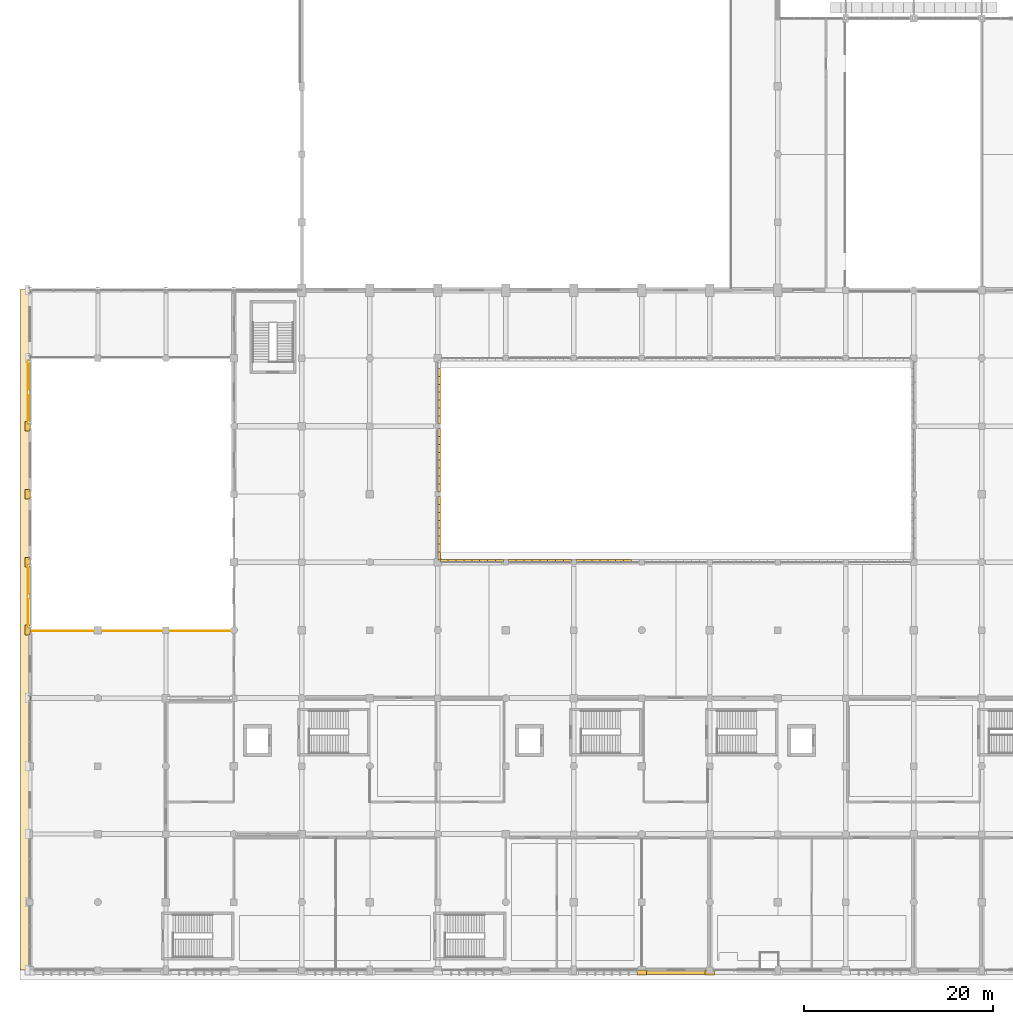
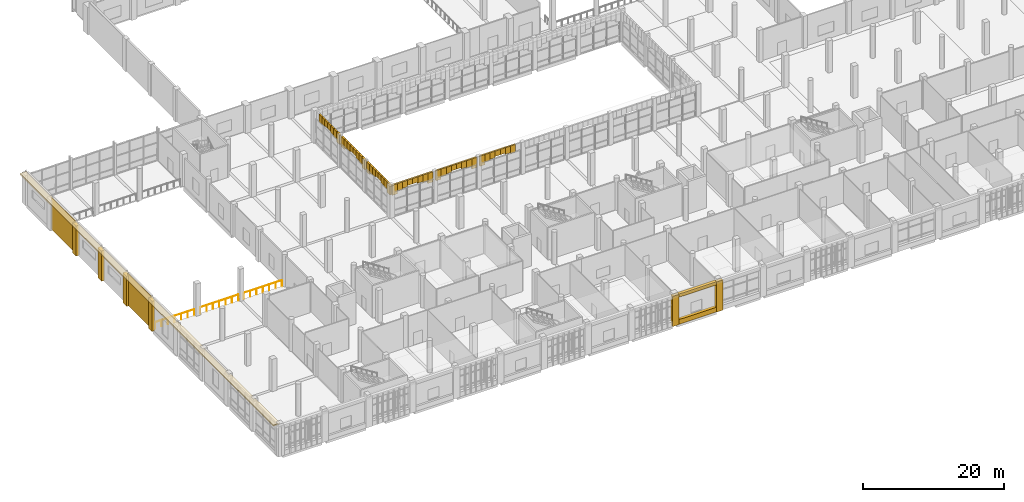
# One storey, part 66 of 80: 57 coverings, 3 railings.
"""IFC4 building model written with IfcOpenShell, lengths in metres."""

from ifc_helpers import new_model, si_unit, direction, frame, frame_2d, origin, origin_2d, place, context, subcontext, project, spatial, polyline, rectangle, circle, outline, extrude, material, layer, layer_set, type_object, element, save


model = new_model("IFC4")

# Units and contexts
model_context = context("Model", 3, precision=1e-05, world=origin(), true_north=direction((0.0, 1.0)))
body_context = subcontext(model_context, "Body", "Model", "MODEL_VIEW")
ifc_project = project(units=[si_unit("LENGTHUNIT", "METRE"), si_unit("AREAUNIT", "SQUARE_METRE"), si_unit("VOLUMEUNIT", "CUBIC_METRE"), si_unit("PLANEANGLEUNIT", "RADIAN"), si_unit("MASSUNIT", "GRAM", prefix="KILO")], contexts=[model_context])

# Site, building, storey
site_placement = place(None, origin())
site = spatial("IfcSite", under=ifc_project, at=site_placement, CompositionType="ELEMENT")
building_placement = place(site_placement, origin())
building = spatial("IfcBuilding", under=site, at=building_placement, Name="Sardonyx Promenade Sports Hall", CompositionType="ELEMENT")
storey_placement = place(building_placement, frame((0.0, 0.0, 5.60009765625)))
storey = spatial("IfcBuildingStorey", under=building, at=storey_placement, Name="L01", CompositionType="ELEMENT", Elevation=5.60009765625)

# Coverings
ifc_material_1 = material(Name="Dressed Cape red sandstone cornice", Category="masonry")
ifc_layer_1 = layer(ifc_material_1, 0.139892578125)
ifc_layer_set_1 = layer_set([ifc_layer_1], Name="Cov_Chhajja_Eave")
covering_type_1 = type_object("IfcCoveringType", Name="Cov_Chhajja_Eave", PredefinedType="MOLDING", material=ifc_layer_set_1)
covering_1_placement = place(storey_placement, frame((0.0, 0.0, 5.25)))
element("IfcCovering", 1, at=covering_1_placement, inside=storey, type_object=covering_type_1, Name="West climbing L01 chhajja cornice", PredefinedType="MOLDING", context=body_context, shape_type="SweptSolid", body=[
    extrude(outline(polyline([(-1.050048828125, 0.0), (0.050048828125, 0.0), (0.050048828125, 72.10009765625), (-1.050048828125, 72.10009765625), (-1.050048828125, 0.0)])), origin(), (0.0, 0.0, 1.0), 0.219970703125),
])
ifc_material_2 = material(Name="Dressed Cape red sandstone ashlar", Category="masonry")
ifc_layer_2 = layer(ifc_material_2, 0.06005859375)
ifc_layer_set_2 = layer_set([ifc_layer_2], Name="Cov_Cladding_Sandstone")
covering_type_2 = type_object("IfcCoveringType", Name="Cov_Cladding_Sandstone", PredefinedType="CLADDING", material=ifc_layer_set_2)
covering_2_placement = place(storey_placement, frame((-0.18505859375, 36.280029296875, 0.0498046875), z_axis=(0.0, 0.0, 1.0), x_axis=(0.0, 1.0, 0.0)))
element("IfcCovering", 2, at=covering_2_placement, inside=storey, type_object=covering_type_2, Name="Dressed sandstone ashlar cladding L01 #143", PredefinedType="CLADDING", context=body_context, shape_type="SweptSolid", body=[
    extrude(rectangle(XDim=6.639892578125, YDim=0.050048828125, at=frame_2d((3.31982421875, 0.0))), origin(), (0.0, 0.0, 1.0), 5.5),
])
covering_3_placement = place(storey_placement, frame((-0.18505859375, 57.8798828125, 0.0498046875), z_axis=(0.0, 0.0, 1.0), x_axis=(0.0, 1.0, 0.0)))
element("IfcCovering", 3, at=covering_3_placement, inside=storey, type_object=covering_type_2, Name="Dressed sandstone ashlar cladding L01 #146", PredefinedType="CLADDING", context=body_context, shape_type="SweptSolid", body=[
    extrude(rectangle(XDim=6.64013671875, YDim=0.050048828125, at=frame_2d((3.320068359375, 0.0))), origin(), (0.0, 0.0, 1.0), 5.5),
])
covering_4_placement = place(storey_placement, origin())
element("IfcCovering", 4, at=covering_4_placement, inside=storey, type_object=covering_type_2, Name="South sandstone bay pier casing L01 #9", PredefinedType="CLADDING", context=body_context, shape_type="SweptSolid", body=[
    extrude(outline(polyline([(64.280029296875, -0.52001953125), (65.320068359375, -0.52001953125), (65.320068359375, 0.02001953125), (64.280029296875, 0.02001953125), (64.280029296875, -0.52001953125)])), origin(), (0.0, 0.0, 1.0), 5.25),
])
covering_5_placement = place(storey_placement, origin())
element("IfcCovering", 5, at=covering_5_placement, inside=storey, type_object=covering_type_2, Name="South sandstone bay pier casing L01 #10", PredefinedType="CLADDING", context=body_context, shape_type="SweptSolid", body=[
    extrude(outline(polyline([(71.47998046875, -0.52001953125), (72.52001953125, -0.52001953125), (72.52001953125, 0.02001953125), (71.47998046875, 0.02001953125), (71.47998046875, -0.52001953125)])), origin(), (0.0, 0.0, 1.0), 5.25),
])
covering_6_placement = place(storey_placement, origin())
element("IfcCovering", 6, at=covering_6_placement, inside=storey, type_object=covering_type_2, Name="South sandstone sill spandrel L01 #13", PredefinedType="CLADDING", context=body_context, shape_type="SweptSolid", body=[
    extrude(outline(polyline([(65.320068359375, -0.4599609375), (71.47998046875, -0.4599609375), (71.47998046875, 0.02001953125), (65.320068359375, 0.02001953125), (65.320068359375, -0.4599609375)])), origin(), (0.0, 0.0, 1.0), 0.81982421875),
])
covering_7_placement = place(storey_placement, frame((0.0, 0.0, 4.699951171875)))
element("IfcCovering", 7, at=covering_7_placement, inside=storey, type_object=covering_type_2, Name="South sandstone lintel frieze L01 #13", PredefinedType="CLADDING", context=body_context, shape_type="SweptSolid", body=[
    extrude(outline(polyline([(65.320068359375, -0.4599609375), (71.47998046875, -0.4599609375), (71.47998046875, 0.02001953125), (65.320068359375, 0.02001953125), (65.320068359375, -0.4599609375)])), origin(), (0.0, 0.0, 1.0), 0.550048828125),
])
covering_8_placement = place(storey_placement, origin())
element("IfcCovering", 8, at=covering_8_placement, inside=storey, type_object=covering_type_2, Name="West sandstone pier casing L01 #5", PredefinedType="CLADDING", context=body_context, shape_type="SweptSolid", body=[
    extrude(outline(polyline([(-0.5, 35.47998046875), (0.02001953125, 35.47998046875), (0.02001953125, 36.52001953125), (-0.5, 36.52001953125), (-0.5, 35.47998046875)])), origin(), (0.0, 0.0, 1.0), 5.25),
])
covering_9_placement = place(storey_placement, origin())
element("IfcCovering", 9, at=covering_9_placement, inside=storey, type_object=covering_type_2, Name="West sandstone pier casing L01 #6", PredefinedType="CLADDING", context=body_context, shape_type="SweptSolid", body=[
    extrude(outline(polyline([(-0.5, 42.679931640625), (0.02001953125, 42.679931640625), (0.02001953125, 43.719970703125), (-0.5, 43.719970703125), (-0.5, 42.679931640625)])), origin(), (0.0, 0.0, 1.0), 5.25),
])
covering_10_placement = place(storey_placement, origin())
element("IfcCovering", 10, at=covering_10_placement, inside=storey, type_object=covering_type_2, Name="West sandstone pier casing L01 #7", PredefinedType="CLADDING", context=body_context, shape_type="SweptSolid", body=[
    extrude(outline(polyline([(-0.5, 49.8798828125), (0.02001953125, 49.8798828125), (0.02001953125, 50.919921875), (-0.5, 50.919921875), (-0.5, 49.8798828125)])), origin(), (0.0, 0.0, 1.0), 5.25),
])
covering_11_placement = place(storey_placement, origin())
element("IfcCovering", 11, at=covering_11_placement, inside=storey, type_object=covering_type_2, Name="West sandstone pier casing L01 #8", PredefinedType="CLADDING", context=body_context, shape_type="SweptSolid", body=[
    extrude(outline(polyline([(-0.5, 57.080078125), (0.02001953125, 57.080078125), (0.02001953125, 58.1201171875), (-0.5, 58.1201171875), (-0.5, 57.080078125)])), origin(), (0.0, 0.0, 1.0), 5.25),
])
ifc_material_3 = material(Name="Carved Cape red sandstone ashlar", Category="masonry")
ifc_layer_3 = layer(ifc_material_3, 0.239990234375)
ifc_layer_set_3 = layer_set([ifc_layer_3], Name="Cov_Mughal_Arch")
covering_type_3 = type_object("IfcCoveringType", Name="Cov_Mughal_Arch", PredefinedType="CLADDING", material=ifc_layer_set_3)
covering_12_placement = place(storey_placement, frame((43.449951171875, 43.35009765625, 3.584716796875), z_axis=(0.0, 0.0, 1.0), x_axis=(1.0, 0.0, 0.0)))
element("IfcCovering", 12, at=covering_12_placement, inside=storey, type_object=covering_type_3, Name="Mughal pointed-arch spandrel L01 cov:rq:S:L01:0 #1", PredefinedType="CLADDING", context=body_context, shape_type="SweptSolid", body=[
    extrude(rectangle(XDim=0.837646484375, YDim=0.280029296875, at=frame_2d((0.4189453125, 0.0))), origin(), (0.0, 0.0, 1.0), 1.76513671875),
])
covering_13_placement = place(storey_placement, frame((44.28759765625, 43.35009765625, 4.041748046875), z_axis=(0.0, 0.0, 1.0), x_axis=(1.0, 0.0, 0.0)))
element("IfcCovering", 13, at=covering_13_placement, inside=storey, type_object=covering_type_3, Name="Mughal pointed-arch spandrel L01 cov:rq:S:L01:0 #2", PredefinedType="CLADDING", context=body_context, shape_type="SweptSolid", body=[
    extrude(rectangle(XDim=0.83740234375, YDim=0.280029296875, at=frame_2d((0.418701171875, 0.0))), origin(), (0.0, 0.0, 1.0), 1.30810546875),
])
covering_14_placement = place(storey_placement, frame((45.125, 43.35009765625, 4.2119140625), z_axis=(0.0, 0.0, 1.0), x_axis=(1.0, 0.0, 0.0)))
element("IfcCovering", 14, at=covering_14_placement, inside=storey, type_object=covering_type_3, Name="Mughal pointed-arch spandrel L01 cov:rq:S:L01:0 #3", PredefinedType="CLADDING", context=body_context, shape_type="SweptSolid", body=[
    extrude(rectangle(XDim=0.83740234375, YDim=0.280029296875, at=frame_2d((0.418701171875, 0.0))), origin(), (0.0, 0.0, 1.0), 1.137939453125),
])
covering_15_placement = place(storey_placement, frame((45.96240234375, 43.35009765625, 4.429931640625), z_axis=(0.0, 0.0, 1.0), x_axis=(1.0, 0.0, 0.0)))
element("IfcCovering", 15, at=covering_15_placement, inside=storey, type_object=covering_type_3, Name="Mughal pointed-arch spandrel L01 cov:rq:S:L01:0 #4", PredefinedType="CLADDING", context=body_context, shape_type="SweptSolid", body=[
    extrude(rectangle(XDim=0.837646484375, YDim=0.280029296875, at=frame_2d((0.4189453125, 0.0))), origin(), (0.0, 0.0, 1.0), 0.919921875),
])
covering_16_placement = place(storey_placement, frame((46.800048828125, 43.35009765625, 4.429931640625), z_axis=(0.0, 0.0, 1.0), x_axis=(1.0, 0.0, 0.0)))
element("IfcCovering", 16, at=covering_16_placement, inside=storey, type_object=covering_type_3, Name="Mughal pointed-arch spandrel L01 cov:rq:S:L01:0 #5", PredefinedType="CLADDING", context=body_context, shape_type="SweptSolid", body=[
    extrude(rectangle(XDim=0.83740234375, YDim=0.280029296875, at=frame_2d((0.418701171875, 0.0))), origin(), (0.0, 0.0, 1.0), 0.919921875),
])
covering_17_placement = place(storey_placement, frame((47.637451171875, 43.35009765625, 4.2119140625), z_axis=(0.0, 0.0, 1.0), x_axis=(1.0, 0.0, 0.0)))
element("IfcCovering", 17, at=covering_17_placement, inside=storey, type_object=covering_type_3, Name="Mughal pointed-arch spandrel L01 cov:rq:S:L01:0 #6", PredefinedType="CLADDING", context=body_context, shape_type="SweptSolid", body=[
    extrude(rectangle(XDim=0.837646484375, YDim=0.280029296875, at=frame_2d((0.4189453125, 0.0))), origin(), (0.0, 0.0, 1.0), 1.137939453125),
])
covering_18_placement = place(storey_placement, frame((48.47509765625, 43.35009765625, 4.041748046875), z_axis=(0.0, 0.0, 1.0), x_axis=(1.0, 0.0, 0.0)))
element("IfcCovering", 18, at=covering_18_placement, inside=storey, type_object=covering_type_3, Name="Mughal pointed-arch spandrel L01 cov:rq:S:L01:0 #7", PredefinedType="CLADDING", context=body_context, shape_type="SweptSolid", body=[
    extrude(rectangle(XDim=0.83740234375, YDim=0.280029296875, at=frame_2d((0.418701171875, 0.0))), origin(), (0.0, 0.0, 1.0), 1.30810546875),
])
covering_19_placement = place(storey_placement, frame((49.3125, 43.35009765625, 3.584716796875), z_axis=(0.0, 0.0, 1.0), x_axis=(1.0, 0.0, 0.0)))
element("IfcCovering", 19, at=covering_19_placement, inside=storey, type_object=covering_type_3, Name="Mughal pointed-arch spandrel L01 cov:rq:S:L01:0 #8", PredefinedType="CLADDING", context=body_context, shape_type="SweptSolid", body=[
    extrude(rectangle(XDim=0.83740234375, YDim=0.280029296875, at=frame_2d((0.418701171875, 0.0))), origin(), (0.0, 0.0, 1.0), 1.76513671875),
])
covering_20_placement = place(storey_placement, frame((50.64990234375, 43.35009765625, 3.584716796875), z_axis=(0.0, 0.0, 1.0), x_axis=(1.0, 0.0, 0.0)))
element("IfcCovering", 20, at=covering_20_placement, inside=storey, type_object=covering_type_3, Name="Mughal pointed-arch spandrel L01 cov:rq:S:L01:1 #1", PredefinedType="CLADDING", context=body_context, shape_type="SweptSolid", body=[
    extrude(rectangle(XDim=0.837646484375, YDim=0.280029296875, at=frame_2d((0.4189453125, 0.0))), origin(), (0.0, 0.0, 1.0), 1.76513671875),
])
covering_21_placement = place(storey_placement, frame((51.487548828125, 43.35009765625, 4.041748046875), z_axis=(0.0, 0.0, 1.0), x_axis=(1.0, 0.0, 0.0)))
element("IfcCovering", 21, at=covering_21_placement, inside=storey, type_object=covering_type_3, Name="Mughal pointed-arch spandrel L01 cov:rq:S:L01:1 #2", PredefinedType="CLADDING", context=body_context, shape_type="SweptSolid", body=[
    extrude(rectangle(XDim=0.83740234375, YDim=0.280029296875, at=frame_2d((0.418701171875, 0.0))), origin(), (0.0, 0.0, 1.0), 1.30810546875),
])
covering_22_placement = place(storey_placement, frame((52.324951171875, 43.35009765625, 4.2119140625), z_axis=(0.0, 0.0, 1.0), x_axis=(1.0, 0.0, 0.0)))
element("IfcCovering", 22, at=covering_22_placement, inside=storey, type_object=covering_type_3, Name="Mughal pointed-arch spandrel L01 cov:rq:S:L01:1 #3", PredefinedType="CLADDING", context=body_context, shape_type="SweptSolid", body=[
    extrude(rectangle(XDim=0.837646484375, YDim=0.280029296875, at=frame_2d((0.4189453125, 0.0))), origin(), (0.0, 0.0, 1.0), 1.137939453125),
])
for number, where, z_axis, x_axis, name in (
    (23, (53.16259765625, 43.35009765625, 4.429931640625), (0.0, 0.0, 1.0), (1.0, 0.0, 0.0), "Mughal pointed-arch spandrel L01 cov:rq:S:L01:1 #4"),
    (24, (54.0, 43.35009765625, 4.429931640625), (0.0, 0.0, 1.0), (1.0, 0.0, 0.0), "Mughal pointed-arch spandrel L01 cov:rq:S:L01:1 #5"),
):
    element("IfcCovering", number, at=place(storey_placement, frame(where, z_axis=z_axis, x_axis=x_axis)), inside=storey, type_object=covering_type_3, Name=name, PredefinedType="CLADDING", context=body_context, shape_type="SweptSolid", body=[
        extrude(rectangle(XDim=0.83740234375, YDim=0.280029296875, at=frame_2d((0.418701171875, 0.0))), origin(), (0.0, 0.0, 1.0), 0.919921875),
    ])
covering_23_placement = place(storey_placement, frame((54.83740234375, 43.35009765625, 4.2119140625), z_axis=(0.0, 0.0, 1.0), x_axis=(1.0, 0.0, 0.0)))
element("IfcCovering", 25, at=covering_23_placement, inside=storey, type_object=covering_type_3, Name="Mughal pointed-arch spandrel L01 cov:rq:S:L01:1 #6", PredefinedType="CLADDING", context=body_context, shape_type="SweptSolid", body=[
    extrude(rectangle(XDim=0.837646484375, YDim=0.280029296875, at=frame_2d((0.4189453125, 0.0))), origin(), (0.0, 0.0, 1.0), 1.137939453125),
])
covering_24_placement = place(storey_placement, frame((55.675048828125, 43.35009765625, 4.041748046875), z_axis=(0.0, 0.0, 1.0), x_axis=(1.0, 0.0, 0.0)))
element("IfcCovering", 26, at=covering_24_placement, inside=storey, type_object=covering_type_3, Name="Mughal pointed-arch spandrel L01 cov:rq:S:L01:1 #7", PredefinedType="CLADDING", context=body_context, shape_type="SweptSolid", body=[
    extrude(rectangle(XDim=0.83740234375, YDim=0.280029296875, at=frame_2d((0.418701171875, 0.0))), origin(), (0.0, 0.0, 1.0), 1.30810546875),
])
covering_25_placement = place(storey_placement, frame((56.512451171875, 43.35009765625, 3.584716796875), z_axis=(0.0, 0.0, 1.0), x_axis=(1.0, 0.0, 0.0)))
element("IfcCovering", 27, at=covering_25_placement, inside=storey, type_object=covering_type_3, Name="Mughal pointed-arch spandrel L01 cov:rq:S:L01:1 #8", PredefinedType="CLADDING", context=body_context, shape_type="SweptSolid", body=[
    extrude(rectangle(XDim=0.837646484375, YDim=0.280029296875, at=frame_2d((0.4189453125, 0.0))), origin(), (0.0, 0.0, 1.0), 1.76513671875),
])
covering_26_placement = place(storey_placement, frame((57.85009765625, 43.35009765625, 3.584716796875), z_axis=(0.0, 0.0, 1.0), x_axis=(1.0, 0.0, 0.0)))
element("IfcCovering", 28, at=covering_26_placement, inside=storey, type_object=covering_type_3, Name="Mughal pointed-arch spandrel L01 cov:rq:S:L01:2 #1", PredefinedType="CLADDING", context=body_context, shape_type="SweptSolid", body=[
    extrude(rectangle(XDim=0.83740234375, YDim=0.280029296875, at=frame_2d((0.418701171875, 0.0))), origin(), (0.0, 0.0, 1.0), 1.76513671875),
])
covering_27_placement = place(storey_placement, frame((58.6875, 43.35009765625, 4.041748046875), z_axis=(0.0, 0.0, 1.0), x_axis=(1.0, 0.0, 0.0)))
element("IfcCovering", 29, at=covering_27_placement, inside=storey, type_object=covering_type_3, Name="Mughal pointed-arch spandrel L01 cov:rq:S:L01:2 #2", PredefinedType="CLADDING", context=body_context, shape_type="SweptSolid", body=[
    extrude(rectangle(XDim=0.83740234375, YDim=0.280029296875, at=frame_2d((0.418701171875, 0.0))), origin(), (0.0, 0.0, 1.0), 1.30810546875),
])
covering_28_placement = place(storey_placement, frame((59.52490234375, 43.35009765625, 4.2119140625), z_axis=(0.0, 0.0, 1.0), x_axis=(1.0, 0.0, 0.0)))
element("IfcCovering", 30, at=covering_28_placement, inside=storey, type_object=covering_type_3, Name="Mughal pointed-arch spandrel L01 cov:rq:S:L01:2 #3", PredefinedType="CLADDING", context=body_context, shape_type="SweptSolid", body=[
    extrude(rectangle(XDim=0.837646484375, YDim=0.280029296875, at=frame_2d((0.4189453125, 0.0))), origin(), (0.0, 0.0, 1.0), 1.137939453125),
])
covering_29_placement = place(storey_placement, frame((60.362548828125, 43.35009765625, 4.429931640625), z_axis=(0.0, 0.0, 1.0), x_axis=(1.0, 0.0, 0.0)))
element("IfcCovering", 31, at=covering_29_placement, inside=storey, type_object=covering_type_3, Name="Mughal pointed-arch spandrel L01 cov:rq:S:L01:2 #4", PredefinedType="CLADDING", context=body_context, shape_type="SweptSolid", body=[
    extrude(rectangle(XDim=0.83740234375, YDim=0.280029296875, at=frame_2d((0.418701171875, 0.0))), origin(), (0.0, 0.0, 1.0), 0.919921875),
])
covering_30_placement = place(storey_placement, frame((61.199951171875, 43.35009765625, 4.429931640625), z_axis=(0.0, 0.0, 1.0), x_axis=(1.0, 0.0, 0.0)))
element("IfcCovering", 32, at=covering_30_placement, inside=storey, type_object=covering_type_3, Name="Mughal pointed-arch spandrel L01 cov:rq:S:L01:2 #5", PredefinedType="CLADDING", context=body_context, shape_type="SweptSolid", body=[
    extrude(rectangle(XDim=0.837646484375, YDim=0.280029296875, at=frame_2d((0.4189453125, 0.0))), origin(), (0.0, 0.0, 1.0), 0.919921875),
])
covering_31_placement = place(storey_placement, frame((62.03759765625, 43.35009765625, 4.2119140625), z_axis=(0.0, 0.0, 1.0), x_axis=(1.0, 0.0, 0.0)))
element("IfcCovering", 33, at=covering_31_placement, inside=storey, type_object=covering_type_3, Name="Mughal pointed-arch spandrel L01 cov:rq:S:L01:2 #6", PredefinedType="CLADDING", context=body_context, shape_type="SweptSolid", body=[
    extrude(rectangle(XDim=0.83740234375, YDim=0.280029296875, at=frame_2d((0.418701171875, 0.0))), origin(), (0.0, 0.0, 1.0), 1.137939453125),
])
covering_32_placement = place(storey_placement, frame((62.875, 43.35009765625, 4.041748046875), z_axis=(0.0, 0.0, 1.0), x_axis=(1.0, 0.0, 0.0)))
element("IfcCovering", 34, at=covering_32_placement, inside=storey, type_object=covering_type_3, Name="Mughal pointed-arch spandrel L01 cov:rq:S:L01:2 #7", PredefinedType="CLADDING", context=body_context, shape_type="SweptSolid", body=[
    extrude(rectangle(XDim=0.83740234375, YDim=0.280029296875, at=frame_2d((0.418701171875, 0.0))), origin(), (0.0, 0.0, 1.0), 1.30810546875),
])
covering_33_placement = place(storey_placement, frame((43.35009765625, 43.449951171875, 3.584716796875), z_axis=(0.0, 0.0, 1.0), x_axis=(0.0, 1.0, 0.0)))
element("IfcCovering", 35, at=covering_33_placement, inside=storey, type_object=covering_type_3, Name="Mughal pointed-arch spandrel L01 cov:rq:W:L01:0 #1", PredefinedType="CLADDING", context=body_context, shape_type="SweptSolid", body=[
    extrude(rectangle(XDim=0.837646484375, YDim=0.280029296875, at=frame_2d((0.4189453125, 0.0))), origin(), (0.0, 0.0, 1.0), 1.76513671875),
])
covering_34_placement = place(storey_placement, frame((43.35009765625, 44.28759765625, 4.041748046875), z_axis=(0.0, 0.0, 1.0), x_axis=(0.0, 1.0, 0.0)))
element("IfcCovering", 36, at=covering_34_placement, inside=storey, type_object=covering_type_3, Name="Mughal pointed-arch spandrel L01 cov:rq:W:L01:0 #2", PredefinedType="CLADDING", context=body_context, shape_type="SweptSolid", body=[
    extrude(rectangle(XDim=0.83740234375, YDim=0.280029296875, at=frame_2d((0.418701171875, 0.0))), origin(), (0.0, 0.0, 1.0), 1.30810546875),
])
covering_35_placement = place(storey_placement, frame((43.35009765625, 45.125, 4.2119140625), z_axis=(0.0, 0.0, 1.0), x_axis=(0.0, 1.0, 0.0)))
element("IfcCovering", 37, at=covering_35_placement, inside=storey, type_object=covering_type_3, Name="Mughal pointed-arch spandrel L01 cov:rq:W:L01:0 #3", PredefinedType="CLADDING", context=body_context, shape_type="SweptSolid", body=[
    extrude(rectangle(XDim=0.83740234375, YDim=0.280029296875, at=frame_2d((0.418701171875, 0.0))), origin(), (0.0, 0.0, 1.0), 1.137939453125),
])
covering_36_placement = place(storey_placement, frame((43.35009765625, 45.96240234375, 4.429931640625), z_axis=(0.0, 0.0, 1.0), x_axis=(0.0, 1.0, 0.0)))
element("IfcCovering", 38, at=covering_36_placement, inside=storey, type_object=covering_type_3, Name="Mughal pointed-arch spandrel L01 cov:rq:W:L01:0 #4", PredefinedType="CLADDING", context=body_context, shape_type="SweptSolid", body=[
    extrude(rectangle(XDim=0.837646484375, YDim=0.280029296875, at=frame_2d((0.4189453125, 0.0))), origin(), (0.0, 0.0, 1.0), 0.919921875),
])
covering_37_placement = place(storey_placement, frame((43.35009765625, 46.800048828125, 4.429931640625), z_axis=(0.0, 0.0, 1.0), x_axis=(0.0, 1.0, 0.0)))
element("IfcCovering", 39, at=covering_37_placement, inside=storey, type_object=covering_type_3, Name="Mughal pointed-arch spandrel L01 cov:rq:W:L01:0 #5", PredefinedType="CLADDING", context=body_context, shape_type="SweptSolid", body=[
    extrude(rectangle(XDim=0.83740234375, YDim=0.280029296875, at=frame_2d((0.418701171875, 0.0))), origin(), (0.0, 0.0, 1.0), 0.919921875),
])
covering_38_placement = place(storey_placement, frame((43.35009765625, 47.637451171875, 4.2119140625), z_axis=(0.0, 0.0, 1.0), x_axis=(0.0, 1.0, 0.0)))
element("IfcCovering", 40, at=covering_38_placement, inside=storey, type_object=covering_type_3, Name="Mughal pointed-arch spandrel L01 cov:rq:W:L01:0 #6", PredefinedType="CLADDING", context=body_context, shape_type="SweptSolid", body=[
    extrude(rectangle(XDim=0.837646484375, YDim=0.280029296875, at=frame_2d((0.4189453125, 0.0))), origin(), (0.0, 0.0, 1.0), 1.137939453125),
])
covering_39_placement = place(storey_placement, frame((43.35009765625, 48.47509765625, 4.041748046875), z_axis=(0.0, 0.0, 1.0), x_axis=(0.0, 1.0, 0.0)))
element("IfcCovering", 41, at=covering_39_placement, inside=storey, type_object=covering_type_3, Name="Mughal pointed-arch spandrel L01 cov:rq:W:L01:0 #7", PredefinedType="CLADDING", context=body_context, shape_type="SweptSolid", body=[
    extrude(rectangle(XDim=0.83740234375, YDim=0.280029296875, at=frame_2d((0.418701171875, 0.0))), origin(), (0.0, 0.0, 1.0), 1.30810546875),
])
covering_40_placement = place(storey_placement, frame((43.35009765625, 49.3125, 3.584716796875), z_axis=(0.0, 0.0, 1.0), x_axis=(0.0, 1.0, 0.0)))
element("IfcCovering", 42, at=covering_40_placement, inside=storey, type_object=covering_type_3, Name="Mughal pointed-arch spandrel L01 cov:rq:W:L01:0 #8", PredefinedType="CLADDING", context=body_context, shape_type="SweptSolid", body=[
    extrude(rectangle(XDim=0.83740234375, YDim=0.280029296875, at=frame_2d((0.418701171875, 0.0))), origin(), (0.0, 0.0, 1.0), 1.76513671875),
])
covering_41_placement = place(storey_placement, frame((43.35009765625, 50.64990234375, 3.584716796875), z_axis=(0.0, 0.0, 1.0), x_axis=(0.0, 1.0, 0.0)))
element("IfcCovering", 43, at=covering_41_placement, inside=storey, type_object=covering_type_3, Name="Mughal pointed-arch spandrel L01 cov:rq:W:L01:1 #1", PredefinedType="CLADDING", context=body_context, shape_type="SweptSolid", body=[
    extrude(rectangle(XDim=0.837646484375, YDim=0.280029296875, at=frame_2d((0.4189453125, 0.0))), origin(), (0.0, 0.0, 1.0), 1.76513671875),
])
covering_42_placement = place(storey_placement, frame((43.35009765625, 51.487548828125, 4.041748046875), z_axis=(0.0, 0.0, 1.0), x_axis=(0.0, 1.0, 0.0)))
element("IfcCovering", 44, at=covering_42_placement, inside=storey, type_object=covering_type_3, Name="Mughal pointed-arch spandrel L01 cov:rq:W:L01:1 #2", PredefinedType="CLADDING", context=body_context, shape_type="SweptSolid", body=[
    extrude(rectangle(XDim=0.83740234375, YDim=0.280029296875, at=frame_2d((0.418701171875, 0.0))), origin(), (0.0, 0.0, 1.0), 1.30810546875),
])
covering_43_placement = place(storey_placement, frame((43.35009765625, 52.324951171875, 4.2119140625), z_axis=(0.0, 0.0, 1.0), x_axis=(0.0, 1.0, 0.0)))
element("IfcCovering", 45, at=covering_43_placement, inside=storey, type_object=covering_type_3, Name="Mughal pointed-arch spandrel L01 cov:rq:W:L01:1 #3", PredefinedType="CLADDING", context=body_context, shape_type="SweptSolid", body=[
    extrude(rectangle(XDim=0.837646484375, YDim=0.280029296875, at=frame_2d((0.4189453125, 0.0))), origin(), (0.0, 0.0, 1.0), 1.137939453125),
])
for number, where, z_axis, x_axis, name in (
    (46, (43.35009765625, 53.16259765625, 4.429931640625), (0.0, 0.0, 1.0), (0.0, 1.0, 0.0), "Mughal pointed-arch spandrel L01 cov:rq:W:L01:1 #4"),
    (47, (43.35009765625, 54.0, 4.429931640625), (0.0, 0.0, 1.0), (0.0, 1.0, 0.0), "Mughal pointed-arch spandrel L01 cov:rq:W:L01:1 #5"),
):
    element("IfcCovering", number, at=place(storey_placement, frame(where, z_axis=z_axis, x_axis=x_axis)), inside=storey, type_object=covering_type_3, Name=name, PredefinedType="CLADDING", context=body_context, shape_type="SweptSolid", body=[
        extrude(rectangle(XDim=0.83740234375, YDim=0.280029296875, at=frame_2d((0.418701171875, 0.0))), origin(), (0.0, 0.0, 1.0), 0.919921875),
    ])
covering_44_placement = place(storey_placement, frame((43.35009765625, 54.83740234375, 4.2119140625), z_axis=(0.0, 0.0, 1.0), x_axis=(0.0, 1.0, 0.0)))
element("IfcCovering", 48, at=covering_44_placement, inside=storey, type_object=covering_type_3, Name="Mughal pointed-arch spandrel L01 cov:rq:W:L01:1 #6", PredefinedType="CLADDING", context=body_context, shape_type="SweptSolid", body=[
    extrude(rectangle(XDim=0.837646484375, YDim=0.280029296875, at=frame_2d((0.4189453125, 0.0))), origin(), (0.0, 0.0, 1.0), 1.137939453125),
])
covering_45_placement = place(storey_placement, frame((43.35009765625, 55.675048828125, 4.041748046875), z_axis=(0.0, 0.0, 1.0), x_axis=(0.0, 1.0, 0.0)))
element("IfcCovering", 49, at=covering_45_placement, inside=storey, type_object=covering_type_3, Name="Mughal pointed-arch spandrel L01 cov:rq:W:L01:1 #7", PredefinedType="CLADDING", context=body_context, shape_type="SweptSolid", body=[
    extrude(rectangle(XDim=0.83740234375, YDim=0.280029296875, at=frame_2d((0.418701171875, 0.0))), origin(), (0.0, 0.0, 1.0), 1.30810546875),
])
covering_46_placement = place(storey_placement, frame((43.35009765625, 56.512451171875, 3.584716796875), z_axis=(0.0, 0.0, 1.0), x_axis=(0.0, 1.0, 0.0)))
element("IfcCovering", 50, at=covering_46_placement, inside=storey, type_object=covering_type_3, Name="Mughal pointed-arch spandrel L01 cov:rq:W:L01:1 #8", PredefinedType="CLADDING", context=body_context, shape_type="SweptSolid", body=[
    extrude(rectangle(XDim=0.837646484375, YDim=0.280029296875, at=frame_2d((0.4189453125, 0.0))), origin(), (0.0, 0.0, 1.0), 1.76513671875),
])
covering_47_placement = place(storey_placement, frame((43.35009765625, 57.85009765625, 3.584716796875), z_axis=(0.0, 0.0, 1.0), x_axis=(0.0, 1.0, 0.0)))
element("IfcCovering", 51, at=covering_47_placement, inside=storey, type_object=covering_type_3, Name="Mughal pointed-arch spandrel L01 cov:rq:W:L01:2 #1", PredefinedType="CLADDING", context=body_context, shape_type="SweptSolid", body=[
    extrude(rectangle(XDim=0.83740234375, YDim=0.280029296875, at=frame_2d((0.418701171875, 0.0))), origin(), (0.0, 0.0, 1.0), 1.76513671875),
])
covering_48_placement = place(storey_placement, frame((43.35009765625, 58.6875, 4.041748046875), z_axis=(0.0, 0.0, 1.0), x_axis=(0.0, 1.0, 0.0)))
element("IfcCovering", 52, at=covering_48_placement, inside=storey, type_object=covering_type_3, Name="Mughal pointed-arch spandrel L01 cov:rq:W:L01:2 #2", PredefinedType="CLADDING", context=body_context, shape_type="SweptSolid", body=[
    extrude(rectangle(XDim=0.83740234375, YDim=0.280029296875, at=frame_2d((0.418701171875, 0.0))), origin(), (0.0, 0.0, 1.0), 1.30810546875),
])
covering_49_placement = place(storey_placement, frame((43.35009765625, 59.52490234375, 4.2119140625), z_axis=(0.0, 0.0, 1.0), x_axis=(0.0, 1.0, 0.0)))
element("IfcCovering", 53, at=covering_49_placement, inside=storey, type_object=covering_type_3, Name="Mughal pointed-arch spandrel L01 cov:rq:W:L01:2 #3", PredefinedType="CLADDING", context=body_context, shape_type="SweptSolid", body=[
    extrude(rectangle(XDim=0.837646484375, YDim=0.280029296875, at=frame_2d((0.4189453125, 0.0))), origin(), (0.0, 0.0, 1.0), 1.137939453125),
])
covering_50_placement = place(storey_placement, frame((43.35009765625, 60.362548828125, 4.429931640625), z_axis=(0.0, 0.0, 1.0), x_axis=(0.0, 1.0, 0.0)))
element("IfcCovering", 54, at=covering_50_placement, inside=storey, type_object=covering_type_3, Name="Mughal pointed-arch spandrel L01 cov:rq:W:L01:2 #4", PredefinedType="CLADDING", context=body_context, shape_type="SweptSolid", body=[
    extrude(rectangle(XDim=0.83740234375, YDim=0.280029296875, at=frame_2d((0.418701171875, 0.0))), origin(), (0.0, 0.0, 1.0), 0.919921875),
])
covering_51_placement = place(storey_placement, frame((43.35009765625, 61.199951171875, 4.429931640625), z_axis=(0.0, 0.0, 1.0), x_axis=(0.0, 1.0, 0.0)))
element("IfcCovering", 55, at=covering_51_placement, inside=storey, type_object=covering_type_3, Name="Mughal pointed-arch spandrel L01 cov:rq:W:L01:2 #5", PredefinedType="CLADDING", context=body_context, shape_type="SweptSolid", body=[
    extrude(rectangle(XDim=0.837646484375, YDim=0.280029296875, at=frame_2d((0.4189453125, 0.0))), origin(), (0.0, 0.0, 1.0), 0.919921875),
])
covering_52_placement = place(storey_placement, frame((43.35009765625, 62.03759765625, 4.2119140625), z_axis=(0.0, 0.0, 1.0), x_axis=(0.0, 1.0, 0.0)))
element("IfcCovering", 56, at=covering_52_placement, inside=storey, type_object=covering_type_3, Name="Mughal pointed-arch spandrel L01 cov:rq:W:L01:2 #6", PredefinedType="CLADDING", context=body_context, shape_type="SweptSolid", body=[
    extrude(rectangle(XDim=0.83740234375, YDim=0.280029296875, at=frame_2d((0.418701171875, 0.0))), origin(), (0.0, 0.0, 1.0), 1.137939453125),
])
covering_53_placement = place(storey_placement, frame((43.35009765625, 62.875, 4.041748046875), z_axis=(0.0, 0.0, 1.0), x_axis=(0.0, 1.0, 0.0)))
element("IfcCovering", 57, at=covering_53_placement, inside=storey, type_object=covering_type_3, Name="Mughal pointed-arch spandrel L01 cov:rq:W:L01:2 #7", PredefinedType="CLADDING", context=body_context, shape_type="SweptSolid", body=[
    extrude(rectangle(XDim=0.83740234375, YDim=0.280029296875, at=frame_2d((0.418701171875, 0.0))), origin(), (0.0, 0.0, 1.0), 1.30810546875),
])

# Railings
ifc_material_4 = material(Name="Powder-coated Steel S355JR", Category="steel")
railing_type = type_object("IfcRailingType", Name="Rail_Int_Guard_1100", PredefinedType="GUARDRAIL", material=ifc_material_4)
railing_1_placement = place(storey_placement, frame((21.125, 35.929931640625, 0.0)))
element("IfcRailing", 58, at=railing_1_placement, inside=storey, type_object=railing_type, Name="Deck-edge guardrail GR02 L01 #1", PredefinedType="GUARDRAIL", context=body_context, shape_type="SweptSolid", body=[
    extrude(circle(Radius=0.02392578125, at=origin_2d()), frame((0.0, 0.0, 1.09619140625), z_axis=(-1.0, 0.0, 0.0), x_axis=(0.0, -1.0, 0.0)), (0.0, 0.0, 1.0), 6.27490234375),
    extrude(circle(Radius=0.02099609375, at=origin_2d()), origin(), (0.0, 0.0, 1.0), 1.072021484375),
    extrude(circle(Radius=0.02099609375, at=origin_2d()), frame((-1.0458984375, 0.0, 0.0)), (0.0, 0.0, 1.0), 1.072021484375),
    extrude(circle(Radius=0.02099609375, at=origin_2d()), frame((-2.091552734375, 0.0, 0.0)), (0.0, 0.0, 1.0), 1.072021484375),
    extrude(circle(Radius=0.02099609375, at=origin_2d()), frame((-3.137451171875, 0.0, 0.0)), (0.0, 0.0, 1.0), 1.072021484375),
    extrude(circle(Radius=0.02099609375, at=origin_2d()), frame((-4.183349609375, 0.0, 0.0)), (0.0, 0.0, 1.0), 1.072021484375),
    extrude(circle(Radius=0.02099609375, at=origin_2d()), frame((-5.22900390625, 0.0, 0.0)), (0.0, 0.0, 1.0), 1.072021484375),
    extrude(circle(Radius=0.02099609375, at=origin_2d()), frame((-6.27490234375, 0.0, 0.0)), (0.0, 0.0, 1.0), 1.072021484375),
])
railing_2_placement = place(storey_placement, frame((13.949951171875, 35.929931640625, 0.0)))
element("IfcRailing", 59, at=railing_2_placement, inside=storey, type_object=railing_type, Name="Deck-edge guardrail GR02 L01 #2", PredefinedType="GUARDRAIL", context=body_context, shape_type="SweptSolid", body=[
    extrude(circle(Radius=0.02392578125, at=origin_2d()), frame((0.0, 0.0, 1.09619140625), z_axis=(-1.0, 0.0, 0.0), x_axis=(0.0, -1.0, 0.0)), (0.0, 0.0, 1.0), 6.25),
    extrude(circle(Radius=0.02099609375, at=origin_2d()), origin(), (0.0, 0.0, 1.0), 1.072021484375),
    extrude(circle(Radius=0.02099609375, at=origin_2d()), frame((-1.041748046875, 0.0, 0.0)), (0.0, 0.0, 1.0), 1.072021484375),
    extrude(circle(Radius=0.02099609375, at=origin_2d()), frame((-2.083251953125, 0.0, 0.0)), (0.0, 0.0, 1.0), 1.072021484375),
    extrude(circle(Radius=0.02099609375, at=origin_2d()), frame((-3.125, 0.0, 0.0)), (0.0, 0.0, 1.0), 1.072021484375),
    extrude(circle(Radius=0.02099609375, at=origin_2d()), frame((-4.166748046875, 0.0, 0.0)), (0.0, 0.0, 1.0), 1.072021484375),
    extrude(circle(Radius=0.02099609375, at=origin_2d()), frame((-5.208251953125, 0.0, 0.0)), (0.0, 0.0, 1.0), 1.072021484375),
    extrude(circle(Radius=0.02099609375, at=origin_2d()), frame((-6.25, 0.0, 0.0)), (0.0, 0.0, 1.0), 1.072021484375),
])
railing_3_placement = place(storey_placement, frame((6.699951171875, 35.929931640625, 0.0)))
element("IfcRailing", 60, at=railing_3_placement, inside=storey, type_object=railing_type, Name="Deck-edge guardrail GR02 L01 #3", PredefinedType="GUARDRAIL", context=body_context, shape_type="SweptSolid", body=[
    extrude(circle(Radius=0.02392578125, at=origin_2d()), frame((0.0, 0.0, 1.09619140625), z_axis=(-1.0, 0.0, 0.0), x_axis=(0.0, -1.0, 0.0)), (0.0, 0.0, 1.0), 6.449951171875),
    extrude(circle(Radius=0.02099609375, at=origin_2d()), origin(), (0.0, 0.0, 1.0), 1.072021484375),
    extrude(circle(Radius=0.02099609375, at=origin_2d()), frame((-1.074951171875, 0.0, 0.0)), (0.0, 0.0, 1.0), 1.072021484375),
    extrude(circle(Radius=0.02099609375, at=origin_2d()), frame((-2.14990234375, 0.0, 0.0)), (0.0, 0.0, 1.0), 1.072021484375),
    extrude(circle(Radius=0.02099609375, at=origin_2d()), frame((-3.22509765625, 0.0, 0.0)), (0.0, 0.0, 1.0), 1.072021484375),
    extrude(circle(Radius=0.02099609375, at=origin_2d()), frame((-4.300048828125, 0.0, 0.0)), (0.0, 0.0, 1.0), 1.072021484375),
    extrude(circle(Radius=0.02099609375, at=origin_2d()), frame((-5.375, 0.0, 0.0)), (0.0, 0.0, 1.0), 1.072021484375),
    extrude(circle(Radius=0.02099609375, at=origin_2d()), frame((-6.449951171875, 0.0, 0.0)), (0.0, 0.0, 1.0), 1.072021484375),
])

save(model, "model.ifc")
